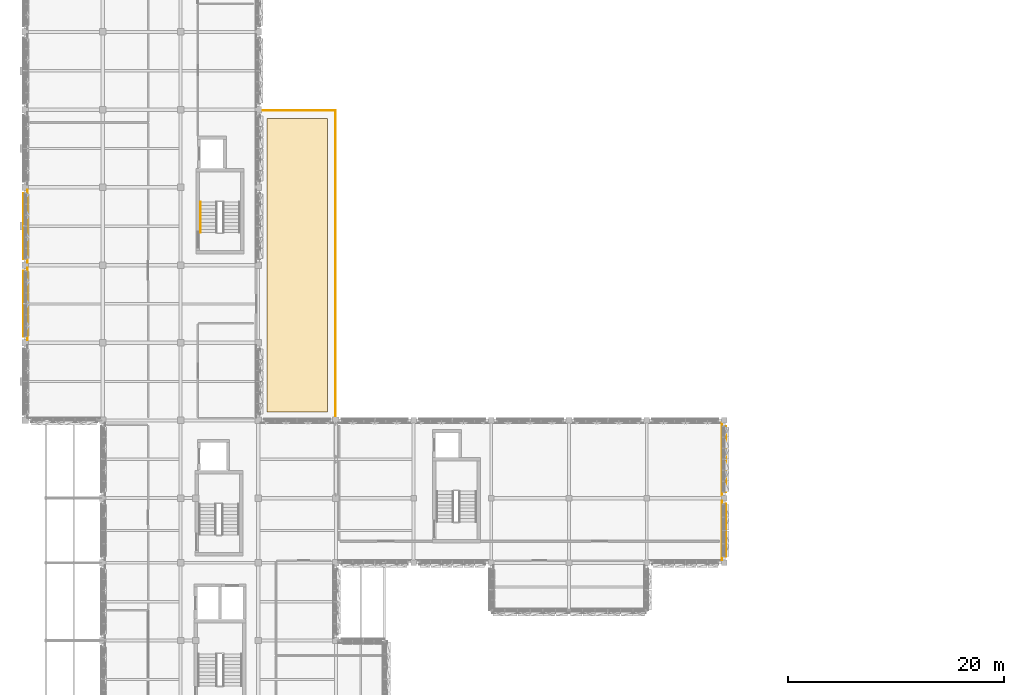
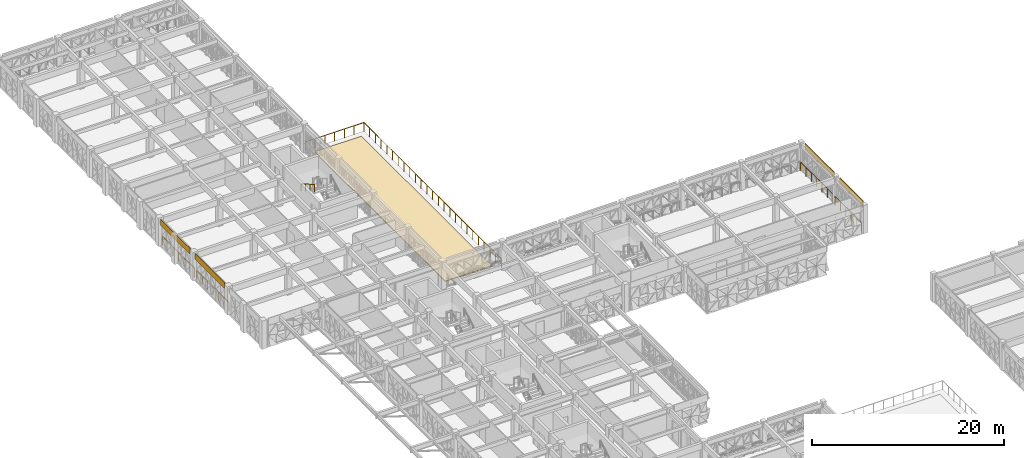
# One storey, part 84 of 99: 6 railings, 5 coverings.
"""IFC4 building model written with IfcOpenShell, lengths in metres."""

from ifc_helpers import new_model, si_unit, direction, frame, origin, origin_2d, place, context, subcontext, project, spatial, polyline, circle, outline, extrude, material, layer, layer_set, type_object, element, save


model = new_model("IFC4")

# Units and contexts
model_context = context("Model", 3, precision=1e-05, world=origin(), true_north=direction((0.0, 1.0)))
body_context = subcontext(model_context, "Body", "Model", "MODEL_VIEW")
ifc_project = project(units=[si_unit("LENGTHUNIT", "METRE"), si_unit("AREAUNIT", "SQUARE_METRE"), si_unit("VOLUMEUNIT", "CUBIC_METRE"), si_unit("PLANEANGLEUNIT", "RADIAN"), si_unit("MASSUNIT", "GRAM", prefix="KILO")], contexts=[model_context])

# Site, building, storey
site_placement = place(None, origin())
site = spatial("IfcSite", under=ifc_project, at=site_placement, CompositionType="ELEMENT")
building_placement = place(site_placement, origin())
building = spatial("IfcBuilding", under=site, at=building_placement, Name="Alvorim Cloister Faculty of Sciences", CompositionType="ELEMENT")
storey_placement = place(building_placement, frame((0.0, 0.0, 12.14990234375)))
storey = spatial("IfcBuildingStorey", under=building, at=storey_placement, Name="L03", CompositionType="ELEMENT", Elevation=12.14990234375)

# Coverings
ifc_material_1 = material(Name="Anodised Aluminium Alloy 6063-T6", Category="aluminium")
ifc_layer_1 = layer(ifc_material_1, 0.031982421875)
ifc_layer_set_1 = layer_set([ifc_layer_1], Name="Anodised Aluminium Alloy 6063-T6")
covering_type_1 = type_object("IfcCoveringType", Name="COV-FAC-CAS", PredefinedType="CLADDING", material=ifc_layer_set_1)
for number, where, z_axis, x_axis, name in (
    (1, (-0.14990234375, 64.139892578125, 2.830078125), (0.0, 0.0, 1.0), (0.0, 1.0, 0.0), "L03 Shifted Bar Slab-Edge Architectural Fascia"),
    (2, (-0.14990234375, 71.340087890625, 2.830078125), (0.0, 0.0, 1.0), (0.0, 1.0, 0.0), "L03 Shifted Bar Slab-Edge Architectural Fascia"),
    (3, (64.949951171875, 49.739990234375, 2.830078125), (0.0, 0.0, 1.0), (0.0, 1.0, 0.0), "L03 Shifted Bar Slab-Edge Architectural Fascia"),
):
    element("IfcCovering", number, at=place(storey_placement, frame(where, z_axis=z_axis, x_axis=x_axis)), inside=storey, type_object=covering_type_1, Name=name, PredefinedType="CLADDING", context=body_context, shape_type="SweptSolid", body=[
        extrude(outline(polyline([(0.0, 0.0), (6.1201171875, 0.0), (6.1201171875, 0.760009765625), (0.0, 0.760009765625), (0.0, 0.0)])), frame((0.0, 0.0224609375, 0.0), z_axis=(0.0, -1.0, 0.0), x_axis=(1.0, 0.0, 0.0)), (0.0, 0.0, 1.0), 0.044921875),
    ])
covering_1_placement = place(storey_placement, frame((64.949951171875, 43.739990234375, 2.830078125), z_axis=(0.0, 0.0, 1.0), x_axis=(0.0, 1.0, 0.0)))
element("IfcCovering", 4, at=covering_1_placement, inside=storey, type_object=covering_type_1, Name="L03 Shifted Bar Slab-Edge Architectural Fascia", PredefinedType="CLADDING", context=body_context, shape_type="SweptSolid", body=[
    extrude(outline(polyline([(0.0, 0.0), (4.919921875, 0.0), (4.919921875, 0.760009765625), (0.0, 0.760009765625), (0.0, 0.0)])), frame((0.0, 0.0224609375, 0.0), z_axis=(0.0, -1.0, 0.0), x_axis=(1.0, 0.0, 0.0)), (0.0, 0.0, 1.0), 0.044921875),
])
ifc_material_2 = material(Name="Intensive Vegetated Substrate", Category="earth")
ifc_layer_2 = layer(ifc_material_2, 0.10009765625)
ifc_layer_set_2 = layer_set([ifc_layer_2], Name="Intensive Vegetated Substrate")
covering_type_2 = type_object("IfcCoveringType", Name="COV-ROOF-GREEN", PredefinedType="ROOFING", material=ifc_layer_set_2)
covering_2_placement = place(storey_placement, origin())
element("IfcCovering", 5, at=covering_2_placement, inside=storey, type_object=covering_type_2, Name="L03 Cloister Commons Planted Roof Garden Quota Ambiental Vegetated Substrate", PredefinedType="ROOFING", context=body_context, shape_type="SweptSolid", body=[
    extrude(outline(polyline([(22.39990234375, 57.199951171875), (28.0, 57.199951171875), (28.0, 84.39990234375), (22.39990234375, 84.39990234375), (22.39990234375, 57.199951171875)])), origin(), (0.0, 0.0, 1.0), 0.10009765625),
])

# Railings
ifc_material_3 = material(Name="Laminated Safety Glass and Bronze", Category="glass")
railing_type_1 = type_object("IfcRailingType", Name="RL-ATR-BAL-1150", PredefinedType="BALUSTRADE", material=ifc_material_3)
for number, where, name in (
    (6, (0.219970703125, 63.85009765625, 0.0), "L03 Curtain Wall Sill Guard BL-101"),
    (7, (0.219970703125, 71.050048828125, 0.0), "L03 Curtain Wall Sill Guard BL-102"),
    (8, (64.580078125, 49.449951171875, 0.0), "L03 Curtain Wall Sill Guard BL-124"),
):
    element("IfcRailing", number, at=place(storey_placement, frame(where)), inside=storey, type_object=railing_type_1, Name=name, PredefinedType="BALUSTRADE", context=body_context, shape_type="SweptSolid", body=[
        extrude(circle(Radius=0.02392578125, at=origin_2d()), frame((0.0, 0.0, 1.1259765625), z_axis=(0.0, 1.0, 0.0), x_axis=(-1.0, 0.0, 0.0)), (0.0, 0.0, 1.0), 6.699951171875),
        extrude(circle(Radius=0.02099609375, at=origin_2d()), origin(), (0.0, 0.0, 1.0), 1.101806640625),
        extrude(circle(Radius=0.02099609375, at=origin_2d()), frame((0.0, 1.11669921875, 0.0)), (0.0, 0.0, 1.0), 1.101806640625),
        extrude(circle(Radius=0.02099609375, at=origin_2d()), frame((0.0, 2.2333984375, 0.0)), (0.0, 0.0, 1.0), 1.101806640625),
        extrude(circle(Radius=0.02099609375, at=origin_2d()), frame((0.0, 3.35009765625, 0.0)), (0.0, 0.0, 1.0), 1.101806640625),
        extrude(circle(Radius=0.02099609375, at=origin_2d()), frame((0.0, 4.466552734375, 0.0)), (0.0, 0.0, 1.0), 1.101806640625),
        extrude(circle(Radius=0.02099609375, at=origin_2d()), frame((0.0, 5.583251953125, 0.0)), (0.0, 0.0, 1.0), 1.101806640625),
        extrude(circle(Radius=0.02099609375, at=origin_2d()), frame((0.0, 6.699951171875, 0.0)), (0.0, 0.0, 1.0), 1.101806640625),
    ])
railing_1_placement = place(storey_placement, frame((64.580078125, 43.449951171875, 0.0)))
element("IfcRailing", 9, at=railing_1_placement, inside=storey, type_object=railing_type_1, Name="L03 Curtain Wall Sill Guard BL-125", PredefinedType="BALUSTRADE", context=body_context, shape_type="SweptSolid", body=[
    extrude(circle(Radius=0.02392578125, at=origin_2d()), frame((0.0, 0.0, 1.1259765625), z_axis=(0.0, 1.0, 0.0), x_axis=(-1.0, 0.0, 0.0)), (0.0, 0.0, 1.0), 5.5),
    extrude(circle(Radius=0.02099609375, at=origin_2d()), origin(), (0.0, 0.0, 1.0), 1.101806640625),
    extrude(circle(Radius=0.02099609375, at=origin_2d()), frame((0.0, 1.10009765625, 0.0)), (0.0, 0.0, 1.0), 1.101806640625),
    extrude(circle(Radius=0.02099609375, at=origin_2d()), frame((0.0, 2.199951171875, 0.0)), (0.0, 0.0, 1.0), 1.101806640625),
    extrude(circle(Radius=0.02099609375, at=origin_2d()), frame((0.0, 3.300048828125, 0.0)), (0.0, 0.0, 1.0), 1.101806640625),
    extrude(circle(Radius=0.02099609375, at=origin_2d()), frame((0.0, 4.39990234375, 0.0)), (0.0, 0.0, 1.0), 1.101806640625),
    extrude(circle(Radius=0.02099609375, at=origin_2d()), frame((0.0, 5.5, 0.0)), (0.0, 0.0, 1.0), 1.101806640625),
])
ifc_material_4 = material(Name="Brushed Stainless Steel", Category="steel")
railing_type_2 = type_object("IfcRailingType", Name="RL-STR-HAND", PredefinedType="HANDRAIL", material=ifc_material_4)
railing_2_placement = place(storey_placement, frame((16.25, 76.635009765625, 1.97998046875)))
element("IfcRailing", 10, at=railing_2_placement, inside=storey, type_object=railing_type_2, Name="L03 ST-05 stair handrail 2", PredefinedType="HANDRAIL", context=body_context, shape_type="SweptSolid", body=[
    extrude(circle(Radius=0.02392578125, at=origin_2d()), frame((0.0, 0.0, 0.8759765625), z_axis=(0.0, -0.868224736699, 0.496171146464), x_axis=(1.0, 0.0, 0.0)), (0.0, 0.0, 1.0), 3.26513671875),
    extrude(circle(Radius=0.02099609375, at=origin_2d()), origin(), (0.0, 0.0, 1.0), 0.851806640625),
    extrude(circle(Radius=0.02099609375, at=origin_2d()), frame((0.0, -0.945068359375, 0.5400390625)), (0.0, 0.0, 1.0), 0.851806640625),
    extrude(circle(Radius=0.02099609375, at=origin_2d()), frame((0.0, -1.889892578125, 1.080078125)), (0.0, 0.0, 1.0), 0.851806640625),
    extrude(circle(Radius=0.02099609375, at=origin_2d()), frame((0.0, -2.8349609375, 1.6201171875)), (0.0, 0.0, 1.0), 0.851806640625),
])
ifc_material_5 = material(Name="Galvanised Painted Steel", Category="steel")
railing_type_3 = type_object("IfcRailingType", Name="RL-TER-GUARD-1150", PredefinedType="GUARDRAIL", material=ifc_material_5)
railing_3_placement = place(storey_placement, frame((28.739990234375, 56.47998046875, 0.0)))
element("IfcRailing", 11, at=railing_3_placement, inside=storey, type_object=railing_type_3, Name="L03 Cloister Commons Planted Roof Garden Perimeter Guard GR-298", PredefinedType="GUARDRAIL", context=body_context, shape_type="SweptSolid", body=[
    extrude(circle(Radius=0.02392578125, at=origin_2d()), frame((0.0, 0.0, 1.1259765625), z_axis=(0.0, 1.0, 0.0), x_axis=(-1.0, 0.0, 0.0)), (0.0, 0.0, 1.0), 28.659912109375),
    extrude(circle(Radius=0.02392578125, at=origin_2d()), frame((0.0, 28.659912109375, 1.1259765625), z_axis=(-1.0, 0.0, 0.0), x_axis=(0.0, -1.0, 0.0)), (0.0, 0.0, 1.0), 7.06005859375),
    extrude(circle(Radius=0.02099609375, at=origin_2d()), origin(), (0.0, 0.0, 1.0), 1.101806640625),
    extrude(circle(Radius=0.02099609375, at=origin_2d()), frame((0.0, 1.194091796875, 0.0)), (0.0, 0.0, 1.0), 1.101806640625),
    extrude(circle(Radius=0.02099609375, at=origin_2d()), frame((0.0, 2.388427734375, 0.0)), (0.0, 0.0, 1.0), 1.101806640625),
    extrude(circle(Radius=0.02099609375, at=origin_2d()), frame((0.0, 3.58251953125, 0.0)), (0.0, 0.0, 1.0), 1.101806640625),
    extrude(circle(Radius=0.02099609375, at=origin_2d()), frame((0.0, 4.776611328125, 0.0)), (0.0, 0.0, 1.0), 1.101806640625),
    extrude(circle(Radius=0.02099609375, at=origin_2d()), frame((0.0, 5.970703125, 0.0)), (0.0, 0.0, 1.0), 1.101806640625),
    extrude(circle(Radius=0.02099609375, at=origin_2d()), frame((0.0, 7.1650390625, 0.0)), (0.0, 0.0, 1.0), 1.101806640625),
    extrude(circle(Radius=0.02099609375, at=origin_2d()), frame((0.0, 8.359130859375, 0.0)), (0.0, 0.0, 1.0), 1.101806640625),
    extrude(circle(Radius=0.02099609375, at=origin_2d()), frame((0.0, 9.55322265625, 0.0)), (0.0, 0.0, 1.0), 1.101806640625),
    extrude(circle(Radius=0.02099609375, at=origin_2d()), frame((0.0, 10.74755859375, 0.0)), (0.0, 0.0, 1.0), 1.101806640625),
    extrude(circle(Radius=0.02099609375, at=origin_2d()), frame((0.0, 11.941650390625, 0.0)), (0.0, 0.0, 1.0), 1.101806640625),
    extrude(circle(Radius=0.02099609375, at=origin_2d()), frame((0.0, 13.1357421875, 0.0)), (0.0, 0.0, 1.0), 1.101806640625),
    extrude(circle(Radius=0.02099609375, at=origin_2d()), frame((0.0, 14.330078125, 0.0)), (0.0, 0.0, 1.0), 1.101806640625),
    extrude(circle(Radius=0.02099609375, at=origin_2d()), frame((0.0, 15.524169921875, 0.0)), (0.0, 0.0, 1.0), 1.101806640625),
    extrude(circle(Radius=0.02099609375, at=origin_2d()), frame((0.0, 16.71826171875, 0.0)), (0.0, 0.0, 1.0), 1.101806640625),
    extrude(circle(Radius=0.02099609375, at=origin_2d()), frame((0.0, 17.912353515625, 0.0)), (0.0, 0.0, 1.0), 1.101806640625),
    extrude(circle(Radius=0.02099609375, at=origin_2d()), frame((0.0, 19.106689453125, 0.0)), (0.0, 0.0, 1.0), 1.101806640625),
    extrude(circle(Radius=0.02099609375, at=origin_2d()), frame((0.0, 20.30078125, 0.0)), (0.0, 0.0, 1.0), 1.101806640625),
    extrude(circle(Radius=0.02099609375, at=origin_2d()), frame((0.0, 21.494873046875, 0.0)), (0.0, 0.0, 1.0), 1.101806640625),
    extrude(circle(Radius=0.02099609375, at=origin_2d()), frame((0.0, 22.689208984375, 0.0)), (0.0, 0.0, 1.0), 1.101806640625),
    extrude(circle(Radius=0.02099609375, at=origin_2d()), frame((0.0, 23.88330078125, 0.0)), (0.0, 0.0, 1.0), 1.101806640625),
    extrude(circle(Radius=0.02099609375, at=origin_2d()), frame((0.0, 25.077392578125, 0.0)), (0.0, 0.0, 1.0), 1.101806640625),
    extrude(circle(Radius=0.02099609375, at=origin_2d()), frame((0.0, 26.271484375, 0.0)), (0.0, 0.0, 1.0), 1.101806640625),
    extrude(circle(Radius=0.02099609375, at=origin_2d()), frame((0.0, 27.4658203125, 0.0)), (0.0, 0.0, 1.0), 1.101806640625),
    extrude(circle(Radius=0.02099609375, at=origin_2d()), frame((0.0, 28.659912109375, 0.0)), (0.0, 0.0, 1.0), 1.101806640625),
    extrude(circle(Radius=0.02099609375, at=origin_2d()), frame((-1.1767578125, 28.659912109375, 0.0)), (0.0, 0.0, 1.0), 1.101806640625),
    extrude(circle(Radius=0.02099609375, at=origin_2d()), frame((-2.353271484375, 28.659912109375, 0.0)), (0.0, 0.0, 1.0), 1.101806640625),
    extrude(circle(Radius=0.02099609375, at=origin_2d()), frame((-3.530029296875, 28.659912109375, 0.0)), (0.0, 0.0, 1.0), 1.101806640625),
    extrude(circle(Radius=0.02099609375, at=origin_2d()), frame((-4.706787109375, 28.659912109375, 0.0)), (0.0, 0.0, 1.0), 1.101806640625),
    extrude(circle(Radius=0.02099609375, at=origin_2d()), frame((-5.88330078125, 28.659912109375, 0.0)), (0.0, 0.0, 1.0), 1.101806640625),
    extrude(circle(Radius=0.02099609375, at=origin_2d()), frame((-7.06005859375, 28.659912109375, 0.0)), (0.0, 0.0, 1.0), 1.101806640625),
])

save(model, "model.ifc")
